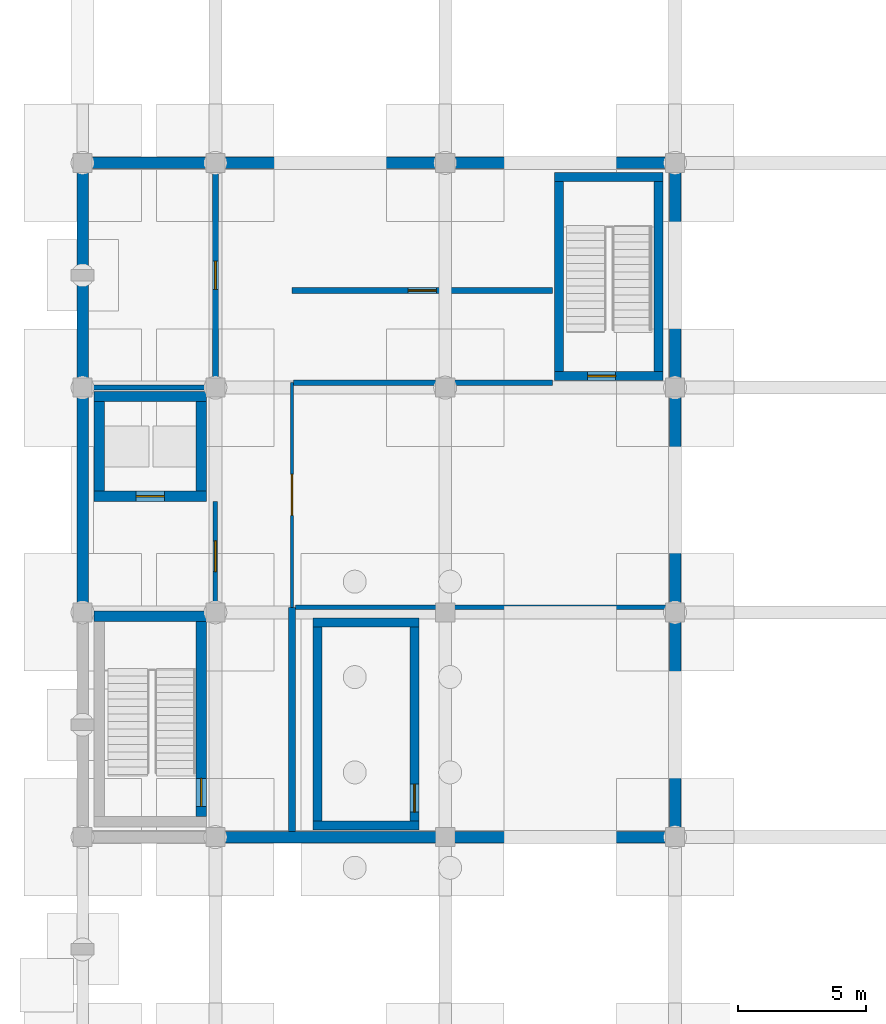
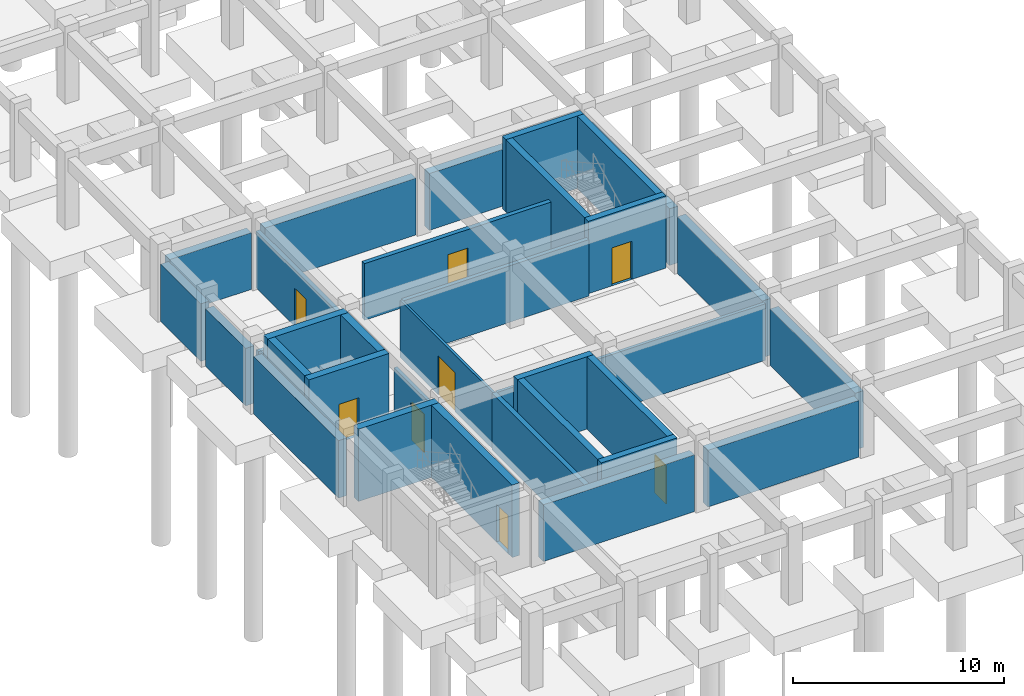
# One storey, part 11 of 20: 33 walls, 8 doors, 8 openings.
"""IFC4 building model written with IfcOpenShell, lengths in metres."""

from ifc_helpers import new_model, si_unit, direction, frame, frame_2d, origin, place, context, subcontext, project, spatial, rectangle, extrude, material, layer, layer_set, type_object, element, fill, save


model = new_model("IFC4")

# Units and contexts
model_context = context("Model", 3, precision=1e-05, world=origin(), true_north=direction((0.0, 1.0)))
body_context = subcontext(model_context, "Body", "Model", "MODEL_VIEW")
ifc_project = project(units=[si_unit("LENGTHUNIT", "METRE"), si_unit("AREAUNIT", "SQUARE_METRE"), si_unit("VOLUMEUNIT", "CUBIC_METRE"), si_unit("PLANEANGLEUNIT", "RADIAN"), si_unit("MASSUNIT", "GRAM", prefix="KILO")], contexts=[model_context])

# Site, building, storey
site_placement = place(None, origin())
site = spatial("IfcSite", under=ifc_project, at=site_placement, CompositionType="ELEMENT")
building_placement = place(site_placement, origin())
building = spatial("IfcBuilding", under=site, at=building_placement, Name="Ventoquebrada Cableway Terminal", CompositionType="ELEMENT")
storey_placement = place(building_placement, frame((0.0, 0.0, -4.5)))
storey = spatial("IfcBuildingStorey", under=building, at=storey_placement, Name="B1", CompositionType="ELEMENT", Elevation=-4.5)

# Wall, opening, door
ifc_material_1 = material(Name="Concrete C40/50", Category="concrete")
ifc_layer_1 = layer(ifc_material_1, 0.39990234375)
ifc_layer_set_1 = layer_set([ifc_layer_1], Name="Concrete C40/50")
wall_type_1 = type_object("IfcWallType", Name="WL-CR1", PredefinedType="SHEAR", material=ifc_layer_set_1)
wall_1_placement = place(storey_placement, frame((7.64990234375, 12.60009765625, 0.0), z_axis=(0.0, 0.0, 1.0), x_axis=(0.0, 1.0, 0.0)))
wall_1 = element("IfcWall", 1, at=wall_1_placement, inside=storey, type_object=wall_type_1, Name="Core shear wall IW-0002", PredefinedType="SHEAR", context=body_context, shape_type="SweptSolid", body=[
    extrude(rectangle(XDim=7.64990234375, YDim=0.39990234375, at=frame_2d((3.824951171875, 0.0))), origin(), (0.0, 0.0, 1.0), 4.18994140625),
])
opening_1_placement = place(wall_1_placement, frame((0.39990234375, 0.0, 0.0)))
opening_1 = element("IfcOpeningElement", 2, at=opening_1_placement, cuts=wall_1, Name="Opening D-001", PredefinedType="OPENING", context=body_context, shape_type="SweptSolid", body=[
    extrude(rectangle(XDim=1.10009765625, YDim=2.199951171875, at=frame_2d((0.550048828125, 1.10009765625))), frame((0.0, 0.2099609375, 0.0), z_axis=(0.0, -1.0, 0.0), x_axis=(1.0, 0.0, 0.0)), (0.0, 0.0, 1.0), 0.419921875),
])
ifc_material_2 = material(Name="Galvanized fire-rated steel door assembly", Category="steel")
door_type_1 = type_object("IfcDoorType", Name="DT-IN05", OperationType="SINGLE_SWING_LEFT", PredefinedType="DOOR", material=ifc_material_2)
door_1_placement = place(opening_1_placement, origin())
door_1 = element("IfcDoor", 3, at=door_1_placement, inside=storey, type_object=door_type_1, Name="Core K1-S stair fire door D-001", OperationType="SINGLE_SWING_RIGHT", OverallHeight=2.199951171875, OverallWidth=1.10009765625, PredefinedType="DOOR", context=body_context, shape_type="SweptSolid", body=[
    extrude(rectangle(XDim=1.10009765625, YDim=2.199951171875, at=frame_2d((0.550048828125, 1.10009765625))), frame((0.0, 0.02490234375, 0.0), z_axis=(0.0, -1.0, 0.0), x_axis=(1.0, 0.0, 0.0)), (0.0, 0.0, 1.0), 0.050048828125),
])
fill(opening_1, door_1)

# Wall
wall_2_placement = place(storey_placement, frame((7.85009765625, 20.449951171875, 0.0), z_axis=(0.0, 0.0, 1.0), x_axis=(-1.0, 0.0, 0.0)))
element("IfcWall", 4, at=wall_2_placement, inside=storey, type_object=wall_type_1, Name="Core shear wall IW-0003", PredefinedType="SHEAR", context=body_context, shape_type="SweptSolid", body=[
    extrude(rectangle(XDim=4.400146484375, YDim=0.39990234375, at=frame_2d((2.2001953125, 0.0))), origin(), (0.0, 0.0, 1.0), 4.18994140625),
])

# Wall, opening, door
wall_3_placement = place(storey_placement, frame((3.449951171875, 25.14990234375, 0.0), z_axis=(0.0, 0.0, 1.0), x_axis=(1.0, 0.0, 0.0)))
wall_3 = element("IfcWall", 5, at=wall_3_placement, inside=storey, type_object=wall_type_1, Name="Core shear wall IW-0005", PredefinedType="SHEAR", context=body_context, shape_type="SweptSolid", body=[
    extrude(rectangle(XDim=4.400146484375, YDim=0.39990234375, at=frame_2d((2.2001953125, 0.0))), origin(), (0.0, 0.0, 1.0), 4.18994140625),
])
opening_2_placement = place(wall_3_placement, frame((1.64990234375, 0.0, 0.0)))
opening_2 = element("IfcOpeningElement", 6, at=opening_2_placement, cuts=wall_3, Name="Opening LD-001", PredefinedType="OPENING", context=body_context, shape_type="SweptSolid", body=[
    extrude(rectangle(XDim=1.10009765625, YDim=2.199951171875, at=frame_2d((0.550048828125, 1.10009765625))), frame((0.0, 0.2099609375, 0.0), z_axis=(0.0, -1.0, 0.0), x_axis=(1.0, 0.0, 0.0)), (0.0, 0.0, 1.0), 0.419921875),
])
ifc_material_3 = material(Name="Brushed stainless steel Grade 316", Category="steel")
door_type_2 = type_object("IfcDoorType", Name="DT-LD01", OperationType="SLIDING_TO_LEFT", PredefinedType="DOOR", material=ifc_material_3)
door_2_placement = place(opening_2_placement, origin())
door_2 = element("IfcDoor", 7, at=door_2_placement, inside=storey, type_object=door_type_2, Name="Lift landing sliding door LD-001", OperationType="SLIDING_TO_RIGHT", OverallHeight=2.199951171875, OverallWidth=1.10009765625, PredefinedType="DOOR", context=body_context, shape_type="SweptSolid", body=[
    extrude(rectangle(XDim=1.10009765625, YDim=2.199951171875, at=frame_2d((0.550048828125, 1.10009765625))), frame((0.0, 0.02490234375, 0.0), z_axis=(0.0, -1.0, 0.0), x_axis=(1.0, 0.0, 0.0)), (0.0, 0.0, 1.0), 0.050048828125),
])
fill(opening_2, door_2)

# Walls
wall_4_placement = place(storey_placement, frame((7.64990234375, 25.35009765625, 0.0), z_axis=(0.0, 0.0, 1.0), x_axis=(0.0, 1.0, 0.0)))
element("IfcWall", 8, at=wall_4_placement, inside=storey, type_object=wall_type_1, Name="Core shear wall IW-0006", PredefinedType="SHEAR", context=body_context, shape_type="SweptSolid", body=[
    extrude(rectangle(XDim=3.5, YDim=0.39990234375, at=frame_2d((1.75, 0.0))), origin(), (0.0, 0.0, 1.0), 4.18994140625),
])
wall_5_placement = place(storey_placement, frame((7.85009765625, 29.050048828125, 0.0), z_axis=(0.0, 0.0, 1.0), x_axis=(-1.0, 0.0, 0.0)))
element("IfcWall", 9, at=wall_5_placement, inside=storey, type_object=wall_type_1, Name="Core shear wall IW-0007", PredefinedType="SHEAR", context=body_context, shape_type="SweptSolid", body=[
    extrude(rectangle(XDim=4.400146484375, YDim=0.39990234375, at=frame_2d((2.2001953125, 0.0))), origin(), (0.0, 0.0, 1.0), 4.18994140625),
])
wall_6_placement = place(storey_placement, frame((3.64990234375, 28.85009765625, 0.0), z_axis=(0.0, 0.0, 1.0), x_axis=(0.0, -1.0, 0.0)))
element("IfcWall", 10, at=wall_6_placement, inside=storey, type_object=wall_type_1, Name="Core shear wall IW-0008", PredefinedType="SHEAR", context=body_context, shape_type="SweptSolid", body=[
    extrude(rectangle(XDim=3.5, YDim=0.39990234375, at=frame_2d((1.75, 0.0))), origin(), (0.0, 0.0, 1.0), 4.18994140625),
])

# Wall, opening, door
ifc_material_4 = material(Name="Autoclaved aerated concrete blockwork", Category="masonry")
ifc_layer_2 = layer(ifc_material_4, 0.2451171875)
ifc_layer_set_2 = layer_set([ifc_layer_2], Name="Autoclaved aerated concrete blockwork")
wall_type_2 = type_object("IfcWallType", Name="WL-PT10", PredefinedType="PARTITIONING", material=ifc_layer_set_2)
wall_7_placement = place(storey_placement, frame((11.199951171875, 33.199951171875, 0.0), z_axis=(0.0, 0.0, 1.0), x_axis=(1.0, 0.0, 0.0)))
wall_7 = element("IfcWall", 11, at=wall_7_placement, inside=storey, type_object=wall_type_2, Name="Interior partition IW-0300", PredefinedType="PARTITIONING", context=body_context, shape_type="SweptSolid", body=[
    extrude(rectangle(XDim=10.199951171875, YDim=0.2451171875, at=frame_2d((5.10009765625, 0.0))), origin(), (0.0, 0.0, 1.0), 3.27490234375),
])
opening_3_placement = place(wall_7_placement, frame((4.550048828125, 0.0, 0.0)))
opening_3 = element("IfcOpeningElement", 12, at=opening_3_placement, cuts=wall_7, Name="Opening D-050", PredefinedType="OPENING", context=body_context, shape_type="SweptSolid", body=[
    extrude(rectangle(XDim=1.10009765625, YDim=2.199951171875, at=frame_2d((0.550048828125, 1.10009765625))), frame((0.0, 0.132568359375, 0.0), z_axis=(0.0, -1.0, 0.0), x_axis=(1.0, 0.0, 0.0)), (0.0, 0.0, 1.0), 0.26513671875),
])
door_type_3 = type_object("IfcDoorType", Name="DT-IN04", OperationType="SINGLE_SWING_RIGHT", PredefinedType="DOOR", material=ifc_material_2)
door_3_placement = place(opening_3_placement, origin())
door_3 = element("IfcDoor", 13, at=door_3_placement, inside=storey, type_object=door_type_3, Name="SCADA Equipment Room Door D-050", OperationType="SINGLE_SWING_LEFT", OverallHeight=2.199951171875, OverallWidth=1.10009765625, PredefinedType="DOOR", context=body_context, shape_type="SweptSolid", body=[
    extrude(rectangle(XDim=1.10009765625, YDim=2.199951171875, at=frame_2d((0.550048828125, 1.10009765625))), frame((0.0, 0.02490234375, 0.0), z_axis=(0.0, -1.0, 0.0), x_axis=(1.0, 0.0, 0.0)), (0.0, 0.0, 1.0), 0.050048828125),
])
fill(opening_3, door_3)

ifc_material_5 = material(Name="Fire-rated gypsum partition board on steel framing", Category="steel")
ifc_layer_3 = layer(ifc_material_5, 0.179931640625)
ifc_layer_set_3 = layer_set([ifc_layer_3], Name="Fire-rated gypsum partition board on steel framing")
wall_type_3 = type_object("IfcWallType", Name="WL-PT3", PredefinedType="STANDARD", material=ifc_layer_set_3)
wall_8_placement = place(storey_placement, frame((8.199951171875, 20.64990234375, 0.0), z_axis=(0.0, 0.0, 1.0), x_axis=(0.0, 1.0, 0.0)))
wall_8 = element("IfcWall", 14, at=wall_8_placement, inside=storey, type_object=wall_type_3, Name="Interior partition IW-0293", PredefinedType="STANDARD", context=body_context, shape_type="SweptSolid", body=[
    extrude(rectangle(XDim=4.300048828125, YDim=0.179931640625, at=frame_2d((2.14990234375, 0.0))), origin(), (0.0, 0.0, 1.0), 3.27490234375),
])
opening_4_placement = place(wall_8_placement, frame((1.550048828125, 0.0, 0.0)))
opening_4 = element("IfcOpeningElement", 15, at=opening_4_placement, cuts=wall_8, Name="Opening D-047", PredefinedType="OPENING", context=body_context, shape_type="SweptSolid", body=[
    extrude(rectangle(XDim=1.199951171875, YDim=2.199951171875, at=frame_2d((0.60009765625, 1.10009765625))), frame((0.0, 0.099853515625, 0.0), z_axis=(0.0, -1.0, 0.0), x_axis=(1.0, 0.0, 0.0)), (0.0, 0.0, 1.0), 0.199951171875),
])
door_type_4 = type_object("IfcDoorType", Name="DT-IN06", OperationType="SINGLE_SWING_RIGHT", PredefinedType="DOOR", material=ifc_material_2)
door_4_placement = place(opening_4_placement, origin())
door_4 = element("IfcDoor", 16, at=door_4_placement, inside=storey, type_object=door_type_4, Name="K1 Firefighting Lobby East Door D-047", OperationType="SINGLE_SWING_RIGHT", OverallHeight=2.199951171875, OverallWidth=1.199951171875, PredefinedType="DOOR", context=body_context, shape_type="SweptSolid", body=[
    extrude(rectangle(XDim=1.199951171875, YDim=2.199951171875, at=frame_2d((0.60009765625, 1.10009765625))), frame((0.0, 0.02490234375, 0.0), z_axis=(0.0, -1.0, 0.0), x_axis=(1.0, 0.0, 0.0)), (0.0, 0.0, 1.0), 0.050048828125),
])
fill(opening_4, door_4)

# Wall
ifc_layer_4 = layer(ifc_material_4, 0.199951171875)
ifc_layer_set_4 = layer_set([ifc_layer_4], Name="Autoclaved aerated concrete blockwork")
wall_type_4 = type_object("IfcWallType", Name="WL-PT4", PredefinedType="PARTITIONING", material=ifc_layer_set_4)
wall_9_placement = place(storey_placement, frame((3.199951171875, 29.39990234375, 0.0), z_axis=(0.0, 0.0, 1.0), x_axis=(1.0, 0.0, 0.0)))
element("IfcWall", 17, at=wall_9_placement, inside=storey, type_object=wall_type_4, Name="Interior partition IW-0294", PredefinedType="PARTITIONING", context=body_context, shape_type="SweptSolid", body=[
    extrude(rectangle(XDim=5.0, YDim=0.199951171875, at=frame_2d((2.5, 0.0))), origin(), (0.0, 0.0, 1.0), 3.27490234375),
])

# Wall, opening, door
ifc_layer_5 = layer(ifc_material_4, 0.22998046875)
ifc_layer_set_5 = layer_set([ifc_layer_5], Name="Autoclaved aerated concrete blockwork")
wall_type_5 = type_object("IfcWallType", Name="WL-PT5", PredefinedType="PARTITIONING", material=ifc_layer_set_5)
wall_10_placement = place(storey_placement, frame((8.199951171875, 29.60009765625, 0.0), z_axis=(0.0, 0.0, 1.0), x_axis=(0.0, 1.0, 0.0)))
wall_10 = element("IfcWall", 18, at=wall_10_placement, inside=storey, type_object=wall_type_5, Name="Interior partition IW-0295", PredefinedType="PARTITIONING", context=body_context, shape_type="SweptSolid", body=[
    extrude(rectangle(XDim=8.39990234375, YDim=0.22998046875, at=frame_2d((4.199951171875, 0.0))), origin(), (0.0, 0.0, 1.0), 3.27490234375),
])
opening_5_placement = place(wall_10_placement, frame((3.64990234375, 0.0, 0.0)))
opening_5 = element("IfcOpeningElement", 19, at=opening_5_placement, cuts=wall_10, Name="Opening D-048", PredefinedType="OPENING", context=body_context, shape_type="SweptSolid", body=[
    extrude(rectangle(XDim=1.10009765625, YDim=2.199951171875, at=frame_2d((0.550048828125, 1.10009765625))), frame((0.0, 0.125, 0.0), z_axis=(0.0, -1.0, 0.0), x_axis=(1.0, 0.0, 0.0)), (0.0, 0.0, 1.0), 0.25),
])
door_5_placement = place(opening_5_placement, origin())
door_5 = element("IfcDoor", 20, at=door_5_placement, inside=storey, type_object=door_type_3, Name="Fire Pump Room Door D-048", OperationType="SINGLE_SWING_LEFT", OverallHeight=2.199951171875, OverallWidth=1.10009765625, PredefinedType="DOOR", context=body_context, shape_type="SweptSolid", body=[
    extrude(rectangle(XDim=1.10009765625, YDim=2.199951171875, at=frame_2d((0.550048828125, 1.10009765625))), frame((0.0, 0.02490234375, 0.0), z_axis=(0.0, -1.0, 0.0), x_axis=(1.0, 0.0, 0.0)), (0.0, 0.0, 1.0), 0.050048828125),
])
fill(opening_5, door_5)

# Wall
ifc_layer_6 = layer(ifc_material_4, 0.260009765625)
ifc_layer_set_6 = layer_set([ifc_layer_6], Name="Autoclaved aerated concrete blockwork")
wall_type_6 = type_object("IfcWallType", Name="WL-PT6", PredefinedType="PARTITIONING", material=ifc_layer_set_6)
wall_11_placement = place(storey_placement, frame((11.199951171875, 12.02294921875, 0.0), z_axis=(0.0, 0.0, 1.0), x_axis=(0.0, 1.0, 0.0)))
element("IfcWall", 21, at=wall_11_placement, inside=storey, type_object=wall_type_6, Name="Interior partition IW-0296", PredefinedType="PARTITIONING", context=body_context, shape_type="SweptSolid", body=[
    extrude(rectangle(XDim=8.777099609375, YDim=0.260009765625, at=frame_2d((4.388671875, 0.0))), origin(), (0.0, 0.0, 1.0), 3.27490234375),
])

# Wall, opening, door
ifc_layer_7 = layer(ifc_material_5, 0.135009765625)
ifc_layer_set_7 = layer_set([ifc_layer_7], Name="Fire-rated gypsum partition board on steel framing")
wall_type_7 = type_object("IfcWallType", Name="WL-PT7", PredefinedType="PARTITIONING", material=ifc_layer_set_7)
wall_12_placement = place(storey_placement, frame((11.199951171875, 20.800048828125, 0.0), z_axis=(0.0, 0.0, 1.0), x_axis=(0.0, 1.0, 0.0)))
wall_12 = element("IfcWall", 22, at=wall_12_placement, inside=storey, type_object=wall_type_7, Name="Interior partition IW-0297", PredefinedType="PARTITIONING", context=body_context, shape_type="SweptSolid", body=[
    extrude(rectangle(XDim=8.800048828125, YDim=0.135009765625, at=frame_2d((4.39990234375, 0.0))), origin(), (0.0, 0.0, 1.0), 3.27490234375),
])
opening_6_placement = place(wall_12_placement, frame((3.60009765625, 0.0, 0.0)))
opening_6 = element("IfcOpeningElement", 23, at=opening_6_placement, cuts=wall_12, Name="Opening D-049", PredefinedType="OPENING", context=body_context, shape_type="SweptSolid", body=[
    extrude(rectangle(XDim=1.60009765625, YDim=2.25, at=frame_2d((0.800048828125, 1.125))), frame((0.0, 0.077392578125, 0.0), z_axis=(0.0, -1.0, 0.0), x_axis=(1.0, 0.0, 0.0)), (0.0, 0.0, 1.0), 0.155029296875),
])
door_type_5 = type_object("IfcDoorType", Name="DT-IN07", OperationType="DOUBLE_SWING_LEFT", PredefinedType="DOOR", material=ifc_material_2)
door_6_placement = place(opening_6_placement, origin())
door_6 = element("IfcDoor", 24, at=door_6_placement, inside=storey, type_object=door_type_5, Name="Generator Plant Door D-049", OperationType="DOUBLE_SWING_RIGHT", OverallHeight=2.25, OverallWidth=1.60009765625, PredefinedType="DOOR", context=body_context, shape_type="SweptSolid", body=[
    extrude(rectangle(XDim=1.60009765625, YDim=2.25, at=frame_2d((0.800048828125, 1.125))), frame((0.0, 0.02490234375, 0.0), z_axis=(0.0, -1.0, 0.0), x_axis=(1.0, 0.0, 0.0)), (0.0, 0.0, 1.0), 0.050048828125),
])
fill(opening_6, door_6)

# Walls
ifc_layer_8 = layer(ifc_material_5, 0.1650390625)
ifc_layer_set_8 = layer_set([ifc_layer_8], Name="Fire-rated gypsum partition board on steel framing")
wall_type_8 = type_object("IfcWallType", Name="WL-PT8", PredefinedType="PARTITIONING", material=ifc_layer_set_8)
wall_13_placement = place(storey_placement, frame((11.327880859375, 20.800048828125, 0.0), z_axis=(0.0, 0.0, 1.0), x_axis=(1.0, 0.0, 0.0)))
element("IfcWall", 25, at=wall_13_placement, inside=storey, type_object=wall_type_8, Name="Interior partition IW-0298", PredefinedType="PARTITIONING", context=body_context, shape_type="SweptSolid", body=[
    extrude(rectangle(XDim=14.672119140625, YDim=0.1650390625, at=frame_2d((7.3359375, 0.0))), origin(), (0.0, 0.0, 1.0), 3.27490234375),
])
ifc_layer_9 = layer(ifc_material_4, 0.215087890625)
ifc_layer_set_9 = layer_set([ifc_layer_9], Name="Autoclaved aerated concrete blockwork")
wall_type_9 = type_object("IfcWallType", Name="WL-PT9", PredefinedType="PARTITIONING", material=ifc_layer_set_9)
wall_14_placement = place(storey_placement, frame((11.264892578125, 29.60009765625, 0.0), z_axis=(0.0, 0.0, 1.0), x_axis=(1.0, 0.0, 0.0)))
element("IfcWall", 26, at=wall_14_placement, inside=storey, type_object=wall_type_9, Name="Interior partition IW-0299", PredefinedType="PARTITIONING", context=body_context, shape_type="SweptSolid", body=[
    extrude(rectangle(XDim=10.135009765625, YDim=0.215087890625, at=frame_2d((5.0673828125, 0.0))), origin(), (0.0, 0.0, 1.0), 3.27490234375),
])
ifc_material_6 = material(Name="Concrete C45/55", Category="concrete")
ifc_layer_10 = layer(ifc_material_6, 0.449951171875)
ifc_layer_set_10 = layer_set([ifc_layer_10], Name="Concrete C45/55")
wall_type_10 = type_object("IfcWallType", Name="WL-RT1", PredefinedType="USERDEFINED", material=ifc_layer_set_10)
for number, where, z_axis, x_axis, name in (
    (27, (8.570068359375, 11.800048828125, 0.0), (0.0, 0.0, 1.0), (1.0, 0.0, 0.0), "Perimeter basement retaining wall EW-0002"),
    (28, (17.570068359375, 11.800048828125, 0.0), (0.0, 0.0, 1.0), (1.0, 0.0, 0.0), "Perimeter basement retaining wall EW-0003"),
):
    element("IfcWall", number, at=place(storey_placement, frame(where, z_axis=z_axis, x_axis=x_axis)), inside=storey, type_object=wall_type_10, Name=name, ObjectType="RETAINING WALL", PredefinedType="USERDEFINED", context=body_context, shape_type="SweptSolid", body=[
        extrude(rectangle(XDim=8.260009765625, YDim=0.449951171875, at=frame_2d((4.1298828125, 0.0))), origin(), (0.0, 0.0, 1.0), 3.284912109375),
    ])
for number, where, z_axis, x_axis, name in (
    (29, (26.199951171875, 12.169921875, 0.0), (0.0, 0.0, 1.0), (0.0, 1.0, 0.0), "Perimeter basement retaining wall EW-0004"),
    (30, (26.199951171875, 20.969970703125, 0.0), (0.0, 0.0, 1.0), (0.0, 1.0, 0.0), "Perimeter basement retaining wall EW-0005"),
    (31, (26.199951171875, 29.77001953125, 0.0), (0.0, 0.0, 1.0), (0.0, 1.0, 0.0), "Perimeter basement retaining wall EW-0006"),
):
    element("IfcWall", number, at=place(storey_placement, frame(where, z_axis=z_axis, x_axis=x_axis)), inside=storey, type_object=wall_type_10, Name=name, ObjectType="RETAINING WALL", PredefinedType="USERDEFINED", context=body_context, shape_type="SweptSolid", body=[
        extrude(rectangle(XDim=8.06005859375, YDim=0.449951171875, at=frame_2d((4.030029296875, 0.0))), origin(), (0.0, 0.0, 1.0), 3.284912109375),
    ])
for number, where, z_axis, x_axis, name in (
    (32, (25.830078125, 38.199951171875, 0.0), (0.0, 0.0, 1.0), (-1.0, 0.0, 0.0), "Perimeter basement retaining wall EW-0007"),
    (33, (16.830078125, 38.199951171875, 0.0), (0.0, 0.0, 1.0), (-1.0, 0.0, 0.0), "Perimeter basement retaining wall EW-0008"),
):
    element("IfcWall", number, at=place(storey_placement, frame(where, z_axis=z_axis, x_axis=x_axis)), inside=storey, type_object=wall_type_10, Name=name, ObjectType="RETAINING WALL", PredefinedType="USERDEFINED", context=body_context, shape_type="SweptSolid", body=[
        extrude(rectangle(XDim=8.260009765625, YDim=0.449951171875, at=frame_2d((4.1298828125, 0.0))), origin(), (0.0, 0.0, 1.0), 3.284912109375),
    ])
wall_15_placement = place(storey_placement, frame((7.830078125, 38.199951171875, 0.0), z_axis=(0.0, 0.0, 1.0), x_axis=(-1.0, 0.0, 0.0)))
element("IfcWall", 34, at=wall_15_placement, inside=storey, type_object=wall_type_10, Name="Perimeter basement retaining wall EW-0009", ObjectType="RETAINING WALL", PredefinedType="USERDEFINED", context=body_context, shape_type="SweptSolid", body=[
    extrude(rectangle(XDim=4.4599609375, YDim=0.449951171875, at=frame_2d((2.22998046875, 0.0))), origin(), (0.0, 0.0, 1.0), 3.284912109375),
])
for number, where, z_axis, x_axis, name in (
    (35, (3.0, 37.830078125, 0.0), (0.0, 0.0, 1.0), (0.0, -1.0, 0.0), "Perimeter basement retaining wall EW-0010"),
    (36, (3.0, 33.580078125, 0.0), (0.0, 0.0, 1.0), (0.0, -1.0, 0.0), "Perimeter basement retaining wall EW-0011"),
):
    element("IfcWall", number, at=place(storey_placement, frame(where, z_axis=z_axis, x_axis=x_axis)), inside=storey, type_object=wall_type_10, Name=name, ObjectType="RETAINING WALL", PredefinedType="USERDEFINED", context=body_context, shape_type="SweptSolid", body=[
        extrude(rectangle(XDim=3.81005859375, YDim=0.449951171875, at=frame_2d((1.905029296875, 0.0))), origin(), (0.0, 0.0, 1.0), 3.324951171875),
    ])
wall_16_placement = place(storey_placement, frame((3.0, 29.030029296875, 0.0), z_axis=(0.0, 0.0, 1.0), x_axis=(0.0, -1.0, 0.0)))
element("IfcWall", 37, at=wall_16_placement, inside=storey, type_object=wall_type_10, Name="Perimeter basement retaining wall EW-0012", ObjectType="RETAINING WALL", PredefinedType="USERDEFINED", context=body_context, shape_type="SweptSolid", body=[
    extrude(rectangle(XDim=8.06005859375, YDim=0.449951171875, at=frame_2d((4.030029296875, 0.0))), origin(), (0.0, 0.0, 1.0), 3.324951171875),
])

# Wall, opening, door
ifc_layer_11 = layer(ifc_material_1, 0.35009765625)
ifc_layer_set_11 = layer_set([ifc_layer_11], Name="Concrete C40/50")
wall_type_11 = type_object("IfcWallType", Name="WL-SH1", PredefinedType="SHEAR", material=ifc_layer_set_11)
wall_17_placement = place(storey_placement, frame((21.47509765625, 29.85009765625, 0.0), z_axis=(0.0, 0.0, 1.0), x_axis=(1.0, 0.0, 0.0)))
wall_17 = element("IfcWall", 38, at=wall_17_placement, inside=storey, type_object=wall_type_11, Name="Core shear wall IW-0185", PredefinedType="SHEAR", context=body_context, shape_type="SweptSolid", body=[
    extrude(rectangle(XDim=4.25, YDim=0.35009765625, at=frame_2d((2.125, 0.0))), origin(), (0.0, 0.0, 1.0), 4.18994140625),
])
opening_7_placement = place(wall_17_placement, frame((1.300048828125, 0.0, 0.0)))
opening_7 = element("IfcOpeningElement", 39, at=opening_7_placement, cuts=wall_17, Name="Opening D-023", PredefinedType="OPENING", context=body_context, shape_type="SweptSolid", body=[
    extrude(rectangle(XDim=1.10009765625, YDim=2.199951171875, at=frame_2d((0.550048828125, 1.10009765625))), frame((0.0, 0.18505859375, 0.0), z_axis=(0.0, -1.0, 0.0), x_axis=(1.0, 0.0, 0.0)), (0.0, 0.0, 1.0), 0.3701171875),
])
door_7_placement = place(opening_7_placement, origin())
door_7 = element("IfcDoor", 40, at=door_7_placement, inside=storey, type_object=door_type_1, Name="Core V5-SEC stair fire door D-023", OperationType="SINGLE_SWING_RIGHT", OverallHeight=2.199951171875, OverallWidth=1.10009765625, PredefinedType="DOOR", context=body_context, shape_type="SweptSolid", body=[
    extrude(rectangle(XDim=1.10009765625, YDim=2.199951171875, at=frame_2d((0.550048828125, 1.10009765625))), frame((0.0, 0.02490234375, 0.0), z_axis=(0.0, -1.0, 0.0), x_axis=(1.0, 0.0, 0.0)), (0.0, 0.0, 1.0), 0.050048828125),
])
fill(opening_7, door_7)

# Walls
wall_18_placement = place(storey_placement, frame((25.550048828125, 30.02490234375, 0.0), z_axis=(0.0, 0.0, 1.0), x_axis=(0.0, 1.0, 0.0)))
element("IfcWall", 41, at=wall_18_placement, inside=storey, type_object=wall_type_11, Name="Core shear wall IW-0186", PredefinedType="SHEAR", context=body_context, shape_type="SweptSolid", body=[
    extrude(rectangle(XDim=7.4501953125, YDim=0.35009765625, at=frame_2d((3.72509765625, 0.0))), origin(), (0.0, 0.0, 1.0), 4.18994140625),
])
wall_19_placement = place(storey_placement, frame((25.72509765625, 37.64990234375, 0.0), z_axis=(0.0, 0.0, 1.0), x_axis=(-1.0, 0.0, 0.0)))
element("IfcWall", 42, at=wall_19_placement, inside=storey, type_object=wall_type_11, Name="Core shear wall IW-0187", PredefinedType="SHEAR", context=body_context, shape_type="SweptSolid", body=[
    extrude(rectangle(XDim=4.25, YDim=0.35009765625, at=frame_2d((2.125, 0.0))), origin(), (0.0, 0.0, 1.0), 4.18994140625),
])
wall_20_placement = place(storey_placement, frame((21.64990234375, 37.47509765625, 0.0), z_axis=(0.0, 0.0, 1.0), x_axis=(0.0, -1.0, 0.0)))
element("IfcWall", 43, at=wall_20_placement, inside=storey, type_object=wall_type_11, Name="Core shear wall IW-0188", PredefinedType="SHEAR", context=body_context, shape_type="SweptSolid", body=[
    extrude(rectangle(XDim=7.4501953125, YDim=0.35009765625, at=frame_2d((3.72509765625, 0.0))), origin(), (0.0, 0.0, 1.0), 4.18994140625),
])
wall_21_placement = place(storey_placement, frame((12.02490234375, 12.25, 0.0), z_axis=(0.0, 0.0, 1.0), x_axis=(1.0, 0.0, 0.0)))
element("IfcWall", 44, at=wall_21_placement, inside=storey, type_object=wall_type_11, Name="Core shear wall IW-0261", PredefinedType="SHEAR", context=body_context, shape_type="SweptSolid", body=[
    extrude(rectangle(XDim=4.150146484375, YDim=0.35009765625, at=frame_2d((2.0751953125, 0.0))), origin(), (0.0, 0.0, 1.0), 4.18994140625),
])

# Wall, opening, door
wall_22_placement = place(storey_placement, frame((16.0, 12.425048828125, 0.0), z_axis=(0.0, 0.0, 1.0), x_axis=(0.0, 1.0, 0.0)))
wall_22 = element("IfcWall", 45, at=wall_22_placement, inside=storey, type_object=wall_type_11, Name="Core shear wall IW-0262", PredefinedType="SHEAR", context=body_context, shape_type="SweptSolid", body=[
    extrude(rectangle(XDim=7.599853515625, YDim=0.35009765625, at=frame_2d((3.7998046875, 0.0))), origin(), (0.0, 0.0, 1.0), 4.18994140625),
])
opening_8_placement = place(wall_22_placement, frame((0.35009765625, 0.0, 0.0)))
opening_8 = element("IfcOpeningElement", 46, at=opening_8_placement, cuts=wall_22, Name="Opening D-040", PredefinedType="OPENING", context=body_context, shape_type="SweptSolid", body=[
    extrude(rectangle(XDim=1.10009765625, YDim=2.199951171875, at=frame_2d((0.550048828125, 1.10009765625))), frame((0.0, 0.18505859375, 0.0), z_axis=(0.0, -1.0, 0.0), x_axis=(1.0, 0.0, 0.0)), (0.0, 0.0, 1.0), 0.3701171875),
])
door_8_placement = place(opening_8_placement, origin())
door_8 = element("IfcDoor", 47, at=door_8_placement, inside=storey, type_object=door_type_1, Name="Core V5-FEAT stair fire door D-040", OperationType="SINGLE_SWING_LEFT", OverallHeight=2.199951171875, OverallWidth=1.10009765625, PredefinedType="DOOR", context=body_context, shape_type="SweptSolid", body=[
    extrude(rectangle(XDim=1.10009765625, YDim=2.199951171875, at=frame_2d((0.550048828125, 1.10009765625))), frame((0.0, 0.02490234375, 0.0), z_axis=(0.0, -1.0, 0.0), x_axis=(1.0, 0.0, 0.0)), (0.0, 0.0, 1.0), 0.050048828125),
])
fill(opening_8, door_8)

# Walls
wall_23_placement = place(storey_placement, frame((16.175048828125, 20.199951171875, 0.0), z_axis=(0.0, 0.0, 1.0), x_axis=(-1.0, 0.0, 0.0)))
element("IfcWall", 48, at=wall_23_placement, inside=storey, type_object=wall_type_11, Name="Core shear wall IW-0263", PredefinedType="SHEAR", context=body_context, shape_type="SweptSolid", body=[
    extrude(rectangle(XDim=4.150146484375, YDim=0.35009765625, at=frame_2d((2.0751953125, 0.0))), origin(), (0.0, 0.0, 1.0), 4.18994140625),
])
wall_24_placement = place(storey_placement, frame((12.199951171875, 20.02490234375, 0.0), z_axis=(0.0, 0.0, 1.0), x_axis=(0.0, -1.0, 0.0)))
element("IfcWall", 49, at=wall_24_placement, inside=storey, type_object=wall_type_11, Name="Core shear wall IW-0264", PredefinedType="SHEAR", context=body_context, shape_type="SweptSolid", body=[
    extrude(rectangle(XDim=7.599853515625, YDim=0.35009765625, at=frame_2d((3.7998046875, 0.0))), origin(), (0.0, 0.0, 1.0), 4.18994140625),
])

save(model, "model.ifc")
